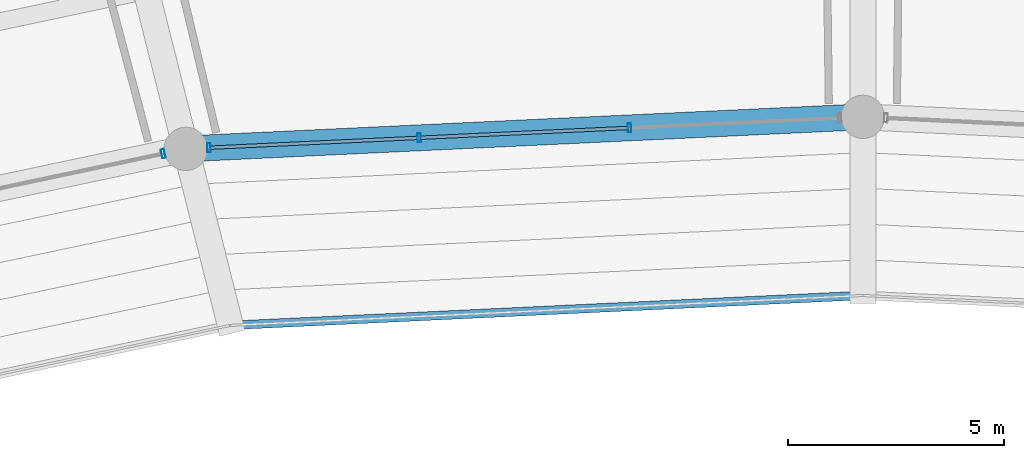
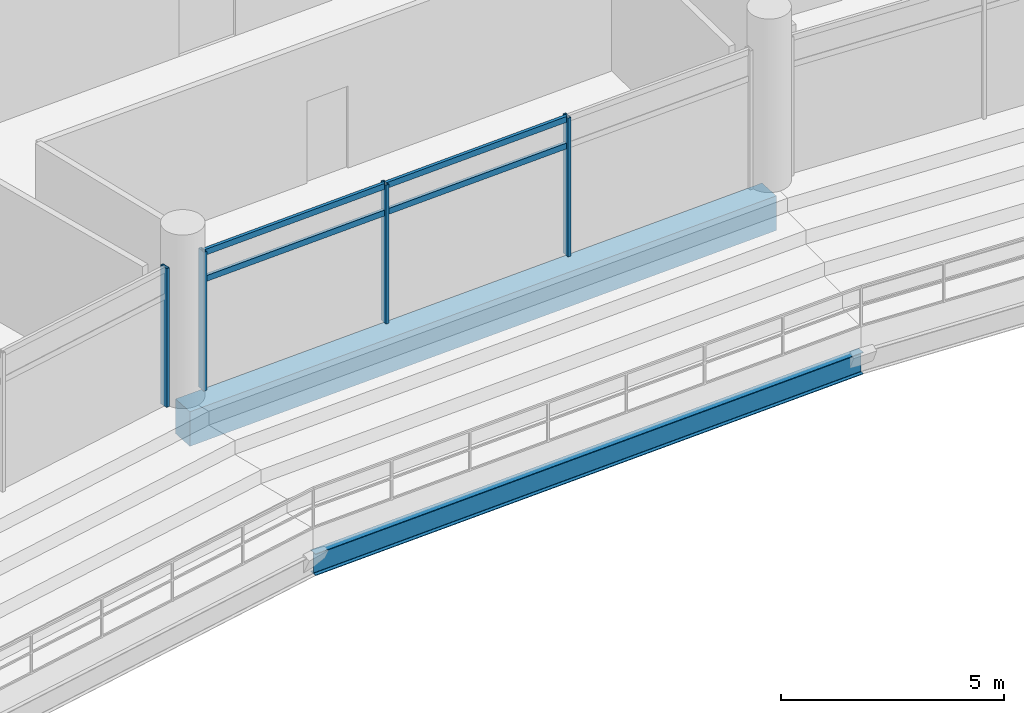
# One storey, part 93 of 171: 8 members, 2 beams, 2 elements without a shape of their own.
"""IFC4 building model written with IfcOpenShell, lengths in metres."""

from ifc_helpers import new_model, si_unit, direction, frame, origin, origin_2d, place, context, subcontext, project, spatial, rectangle, hollow_rectangle, i_section, extrude, material, layer, layer_set, material_profile, profile_set, type_object, element, aggregate, save


model = new_model("IFC4")

# Units and contexts
model_context = context("Model", 3, precision=1e-05, world=origin(), true_north=direction((0.0, 1.0)))
body_context = subcontext(model_context, "Body", "Model", "MODEL_VIEW")
ifc_project = project(units=[si_unit("LENGTHUNIT", "METRE"), si_unit("AREAUNIT", "SQUARE_METRE"), si_unit("VOLUMEUNIT", "CUBIC_METRE"), si_unit("PLANEANGLEUNIT", "RADIAN"), si_unit("MASSUNIT", "GRAM", prefix="KILO")], contexts=[model_context])

# Site, building, storey
site_placement = place(None, origin())
site = spatial("IfcSite", under=ifc_project, at=site_placement, CompositionType="ELEMENT")
building_placement = place(site_placement, origin())
building = spatial("IfcBuilding", under=site, at=building_placement, Name="Kazemori Nagisa Stadium", CompositionType="ELEMENT")
storey_placement = place(building_placement, frame((0.0, 0.0, 15.639892578125)))
storey = spatial("IfcBuildingStorey", under=building, at=storey_placement, Name="L03", CompositionType="ELEMENT", Elevation=15.639892578125)

# Beams
ifc_material_1 = material(Name="Concrete C40/50 (Fc42)", Category="concrete")
ifc_material_profile_1 = material_profile(ifc_material_1, rectangle(XDim=0.60009765625, YDim=0.949951171875, at=origin_2d()), Name="RC-BM-600x950")
ifc_profile_set_1 = profile_set([ifc_material_profile_1], Name="Concrete C40/50 (Fc42)")
beam_type_1 = type_object("IfcBeamType", Name="Beam_BG-RC600X950", PredefinedType="BEAM", material=ifc_profile_set_1)
beam_1_placement = place(storey_placement, frame((123.0, 164.780029296875, -0.73486328125), z_axis=(-0.998883604512, -0.047239227746, 0.0), x_axis=(0.047239227746, -0.998883604512, 0.0)))
element("IfcBeam", 1, at=beam_1_placement, inside=storey, type_object=beam_type_1, Name="Ring girder BG-RC600X950 L03 R1-08", PredefinedType="BEAM", context=body_context, shape_type="SweptSolid", body=[
    extrude(rectangle(XDim=0.60009765625, YDim=0.949951171875, at=origin_2d()), origin(), (0.0, 0.0, 1.0), 15.65966796875),
])
ifc_material_2 = material(Name="Steel SN490B", Category="steel")
ifc_material_profile_2 = material_profile(ifc_material_2, i_section(OverallWidth=0.199951171875, OverallDepth=0.60009765625, WebThickness=0.010986328125, FlangeThickness=0.01708984375, FilletRadius=0.012939453125, at=origin_2d()), Name="H-600x200x11x17")
ifc_profile_set_2 = profile_set([ifc_material_profile_2], Name="Steel SN490B")
beam_type_2 = type_object("IfcBeamType", Name="Beam_BS-H600", PredefinedType="SPANDREL", material=ifc_profile_set_2)
beam_2_placement = place(storey_placement, frame((123.0, 160.652099609375, -2.46484375), z_axis=(-0.99888345174, -0.047242458015, 0.0), x_axis=(0.047242458015, -0.99888345174, 0.0)))
element("IfcBeam", 2, at=beam_2_placement, inside=storey, type_object=beam_type_2, Name="Club tier front edge beam 08", PredefinedType="SPANDREL", context=body_context, shape_type="SweptSolid", body=[
    extrude(i_section(OverallWidth=0.199951171875, OverallDepth=0.60009765625, WebThickness=0.010986328125, FlangeThickness=0.01708984375, FilletRadius=0.012939453125, at=origin_2d()), origin(), (0.0, 0.0, 1.0), 14.630126953125),
])

# Curtain wall, members
ifc_material_3 = material(Name="Anodised aluminium 6063-T5", Category="aluminium")
ifc_layer_1 = layer(ifc_material_3, 0.2099609375, Name="Anodised aluminium 6063-T5", Category="aluminium")
ifc_layer_set_1 = layer_set([ifc_layer_1], Name="Anodised aluminium 6063-T5")
curtain_wall_type_1 = type_object("IfcCurtainWallType", Name="CW_L03B_73", PredefinedType="USERDEFINED", material=ifc_layer_set_1)
curtain_wall_1_placement = place(storey_placement, origin())
curtain_wall_1 = element("IfcCurtainWall", 3, at=curtain_wall_1_placement, inside=storey, type_object=curtain_wall_type_1, Name="Unitised curtain wall CW-L03B-73 L03", ObjectType="UNITISED CURTAIN WALL", PredefinedType="USERDEFINED")
ifc_material_4 = material(Name="Aluminium 6063-T5 anodised", Category="aluminium")
ifc_material_profile_3 = material_profile(ifc_material_4, hollow_rectangle(XDim=0.080078125, YDim=0.2099609375, WallThickness=0.0048828125, at=origin_2d()), Name="ALU-MULL-80x210x5")
ifc_profile_set_3 = profile_set([ifc_material_profile_3], Name="Aluminium 6063-T5 anodised")
member_type_1 = type_object("IfcMemberType", Name="Mullion_M02", PredefinedType="MULLION", material=ifc_profile_set_3)
member_1_placement = place(storey_placement, frame((117.60791015625, 164.525146484375, 0.0), z_axis=(0.0, 0.0, 1.0), x_axis=(-0.998884022476, -0.047230388971, 0.0)))
member_1 = element("IfcMember", 4, at=member_1_placement, type_object=member_type_1, Name="Curtain wall mullion CW-L03B-73-M2", PredefinedType="MULLION", context=body_context, shape_type="SweptSolid", body=[
    extrude(hollow_rectangle(XDim=0.080078125, YDim=0.2099609375, WallThickness=0.0048828125, at=origin_2d()), origin(), (0.0, 0.0, 1.0), 3.81005859375),
])
member_2_placement = place(storey_placement, frame((112.75, 164.29541015625, 0.0), z_axis=(0.0, 0.0, 1.0), x_axis=(-0.998884022476, -0.047230388971, 0.0)))
member_2 = element("IfcMember", 5, at=member_2_placement, type_object=member_type_1, Name="Curtain wall mullion CW-L03B-73-M3", PredefinedType="MULLION", context=body_context, shape_type="SweptSolid", body=[
    extrude(hollow_rectangle(XDim=0.080078125, YDim=0.2099609375, WallThickness=0.0048828125, at=origin_2d()), origin(), (0.0, 0.0, 1.0), 3.81005859375),
])
member_3_placement = place(storey_placement, frame((107.89208984375, 164.065673828125, 0.0), z_axis=(0.0, 0.0, 1.0), x_axis=(-0.998884022476, -0.047230388971, 0.0)))
member_3 = element("IfcMember", 6, at=member_3_placement, type_object=member_type_1, Name="Curtain wall mullion CW-L03B-73-M4", PredefinedType="MULLION", context=body_context, shape_type="SweptSolid", body=[
    extrude(hollow_rectangle(XDim=0.080078125, YDim=0.2099609375, WallThickness=0.0048828125, at=origin_2d()), origin(), (0.0, 0.0, 1.0), 3.81005859375),
])

# Curtain wall, member
ifc_layer_2 = layer(ifc_material_3, 0.2099609375, Name="Anodised aluminium 6063-T5", Category="aluminium")
ifc_layer_set_2 = layer_set([ifc_layer_2], Name="Anodised aluminium 6063-T5")
curtain_wall_type_2 = type_object("IfcCurtainWallType", Name="CW_L03B_75", PredefinedType="USERDEFINED", material=ifc_layer_set_2)
curtain_wall_2_placement = place(storey_placement, origin())
curtain_wall_2 = element("IfcCurtainWall", 7, at=curtain_wall_2_placement, inside=storey, type_object=curtain_wall_type_2, Name="Unitised curtain wall CW-L03B-75 L03", ObjectType="UNITISED CURTAIN WALL", PredefinedType="USERDEFINED")
member_4_placement = place(storey_placement, frame((106.83447265625, 163.9296875, 0.0), z_axis=(0.0, 0.0, 1.0), x_axis=(-0.978344955407, -0.206981033502, 0.0)))
member_4 = element("IfcMember", 8, at=member_4_placement, type_object=member_type_1, Name="Curtain wall mullion CW-L03B-75-M1", PredefinedType="MULLION", context=body_context, shape_type="SweptSolid", body=[
    extrude(hollow_rectangle(XDim=0.080078125, YDim=0.2099609375, WallThickness=0.0048828125, at=origin_2d()), origin(), (0.0, 0.0, 1.0), 3.81005859375),
])
aggregate(curtain_wall_2, [member_4])

# Member
ifc_material_profile_4 = material_profile(ifc_material_4, hollow_rectangle(XDim=0.080078125, YDim=0.159912109375, WallThickness=0.00390625, at=origin_2d()), Name="ALU-TRAN-80x160x4")
ifc_profile_set_4 = profile_set([ifc_material_profile_4], Name="Aluminium 6063-T5 anodised")
member_type_2 = type_object("IfcMemberType", Name="Transom_T02", PredefinedType="USERDEFINED", material=ifc_profile_set_4)
member_5_placement = place(storey_placement, frame((117.587890625, 164.524169921875, 3.010009765625), z_axis=(-0.998884227355, -0.047226055748, 0.0), x_axis=(0.047226055748, -0.998884227355, 0.0)))
member_5 = element("IfcMember", 9, at=member_5_placement, type_object=member_type_2, Name="Curtain wall transom CW-L03B-73-T2-mid", ObjectType="TRANSOM", PredefinedType="USERDEFINED", context=body_context, shape_type="SweptSolid", body=[
    extrude(hollow_rectangle(XDim=0.080078125, YDim=0.159912109375, WallThickness=0.00390625, at=origin_2d()), origin(), (0.0, 0.0, 1.0), 4.8232421875),
])

member_6_placement = place(storey_placement, frame((117.587890625, 164.524169921875, 3.739990234375), z_axis=(-0.998884227355, -0.047226055748, 0.0), x_axis=(0.047226055748, -0.998884227355, 0.0)))
member_6 = element("IfcMember", 10, at=member_6_placement, type_object=member_type_2, Name="Curtain wall transom CW-L03B-73-T2-head", ObjectType="TRANSOM", PredefinedType="USERDEFINED", context=body_context, shape_type="SweptSolid", body=[
    extrude(hollow_rectangle(XDim=0.080078125, YDim=0.159912109375, WallThickness=0.00390625, at=origin_2d()), origin(), (0.0, 0.0, 1.0), 4.8232421875),
])

member_7_placement = place(storey_placement, frame((112.72998046875, 164.29443359375, 3.010009765625), z_axis=(-0.998884227355, -0.047226055748, 0.0), x_axis=(0.047226055748, -0.998884227355, 0.0)))
member_7 = element("IfcMember", 11, at=member_7_placement, type_object=member_type_2, Name="Curtain wall transom CW-L03B-73-T3-mid", ObjectType="TRANSOM", PredefinedType="USERDEFINED", context=body_context, shape_type="SweptSolid", body=[
    extrude(hollow_rectangle(XDim=0.080078125, YDim=0.159912109375, WallThickness=0.00390625, at=origin_2d()), origin(), (0.0, 0.0, 1.0), 4.8232421875),
])

member_8_placement = place(storey_placement, frame((112.72998046875, 164.29443359375, 3.739990234375), z_axis=(-0.998884227355, -0.047226055748, 0.0), x_axis=(0.047226055748, -0.998884227355, 0.0)))
member_8 = element("IfcMember", 12, at=member_8_placement, type_object=member_type_2, Name="Curtain wall transom CW-L03B-73-T3-head", ObjectType="TRANSOM", PredefinedType="USERDEFINED", context=body_context, shape_type="SweptSolid", body=[
    extrude(hollow_rectangle(XDim=0.080078125, YDim=0.159912109375, WallThickness=0.00390625, at=origin_2d()), origin(), (0.0, 0.0, 1.0), 4.8232421875),
])

aggregate(curtain_wall_1, [member_1, member_2, member_3, member_5, member_6, member_7, member_8])

save(model, "model.ifc")
